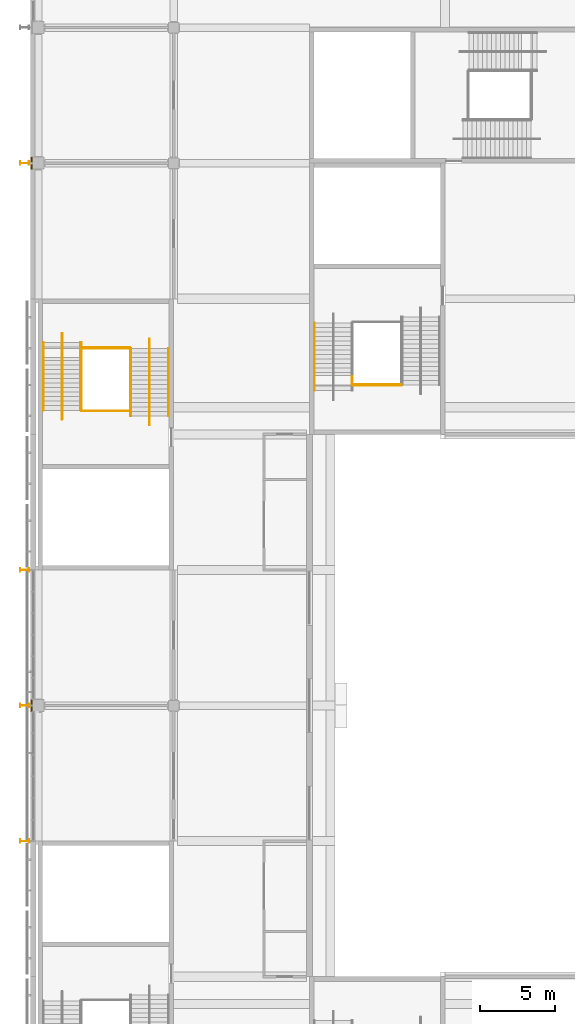
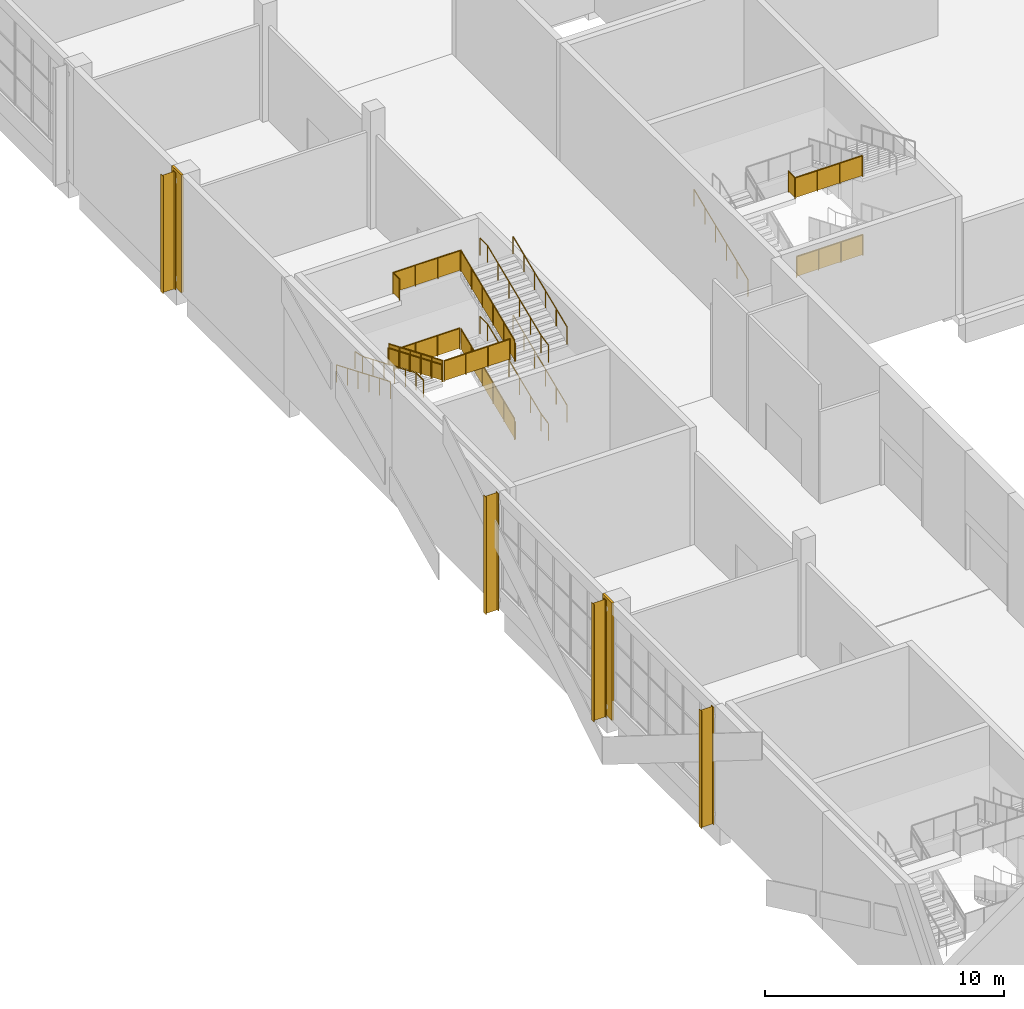
# One storey, part 76 of 89: 18 railings, 4 shading devices, 2 coverings.
"""IFC4 building model written with IfcOpenShell, lengths in metres."""

from ifc_helpers import new_model, si_unit, direction, frame, origin, origin_2d, place, context, subcontext, project, spatial, polyline, circle, i_section, outline, extrude, material, layer, layer_set, material_profile, profile_set, type_object, element, save


model = new_model("IFC4")

# Units and contexts
model_context = context("Model", 3, precision=1e-05, world=origin(), true_north=direction((0.0, 1.0)))
body_context = subcontext(model_context, "Body", "Model", "MODEL_VIEW")
ifc_project = project(units=[si_unit("LENGTHUNIT", "METRE"), si_unit("AREAUNIT", "SQUARE_METRE"), si_unit("VOLUMEUNIT", "CUBIC_METRE"), si_unit("PLANEANGLEUNIT", "RADIAN"), si_unit("MASSUNIT", "GRAM", prefix="KILO")], contexts=[model_context])

# Site, building, storey
site_placement = place(None, origin())
site = spatial("IfcSite", under=ifc_project, at=site_placement, CompositionType="ELEMENT")
building_placement = place(site_placement, origin())
building = spatial("IfcBuilding", under=site, at=building_placement, Name="Silverbay Arena", CompositionType="ELEMENT")
storey_placement = place(building_placement, frame((0.0, 0.0, 22.0)))
storey = spatial("IfcBuildingStorey", under=building, at=storey_placement, Name="L03", CompositionType="ELEMENT", Elevation=22.0)

# Coverings
ifc_material_1 = material(Name="Aluminium composite cladding", Category="aluminium")
ifc_layer = layer(ifc_material_1, 0.10009765625)
ifc_layer_set = layer_set([ifc_layer], Name="Aluminium composite cladding")
covering_type = type_object("IfcCoveringType", Name="Column cladding 100", PredefinedType="CLADDING", material=ifc_layer_set)
covering_1_placement = place(storey_placement, origin())
element("IfcCovering", 1, at=covering_1_placement, inside=storey, type_object=covering_type, Name="West column cladding L03 9", PredefinedType="CLADDING", context=body_context, shape_type="SweptSolid", body=[
    extrude(outline(polyline([(53.5, 80.60009765625), (53.60009765625, 80.60009765625), (53.60009765625, 81.39990234375), (53.5, 81.39990234375), (53.5, 80.60009765625)])), origin(), (0.0, 0.0, 1.0), 6.0),
])
covering_2_placement = place(storey_placement, origin())
element("IfcCovering", 2, at=covering_2_placement, inside=storey, type_object=covering_type, Name="West column cladding L03 11", PredefinedType="CLADDING", context=body_context, shape_type="SweptSolid", body=[
    extrude(outline(polyline([(53.5, 116.60009765625), (53.60009765625, 116.60009765625), (53.60009765625, 117.39990234375), (53.5, 117.39990234375), (53.5, 116.60009765625)])), origin(), (0.0, 0.0, 1.0), 6.0),
])

# Railings
ifc_material_2 = material(Name="Stainless steel", Category="steel")
railing_type_1 = type_object("IfcRailingType", Name="Stair guard 1100", PredefinedType="GUARDRAIL", material=ifc_material_2)
railing_1_placement = place(storey_placement, frame((60.125, 100.2099609375, 0.125)))
element("IfcRailing", 3, at=railing_1_placement, inside=storey, type_object=railing_type_1, Name="Stair ST-W2 L03 to L04 flight 1 guard right", PredefinedType="GUARDRAIL", context=body_context, shape_type="SweptSolid", body=[
    extrude(circle(Radius=0.02392578125, at=origin_2d()), frame((0.0, 0.0, 1.076171875), z_axis=(0.0, 0.923076923077, 0.384615384615), x_axis=(-1.0, 0.0, 0.0)), (0.0, 0.0, 1.0), 4.875),
    extrude(outline(polyline([(-0.008056640625, 0.046630859375), (0.907958984375, 0.42822265625), (0.907958984375, 1.431396484375), (-0.008056640625, 1.049560546875), (-0.008056640625, 0.046630859375)])), frame((-0.0029296875, 0.0, 0.0), z_axis=(1.0, 0.0, 0.0), x_axis=(0.0, 1.0, 0.0)), (0.0, 0.0, 1.0), 0.006103515625),
    extrude(outline(polyline([(-0.008056640625, 0.421630859375), (0.907958984375, 0.80322265625), (0.907958984375, 1.806396484375), (-0.008056640625, 1.424560546875), (-0.008056640625, 0.421630859375)])), frame((-0.0029296875, 0.89990234375, 0.0), z_axis=(1.0, 0.0, 0.0), x_axis=(0.0, 1.0, 0.0)), (0.0, 0.0, 1.0), 0.006103515625),
    extrude(outline(polyline([(-0.008056640625, 0.796630859375), (0.907958984375, 1.17822265625), (0.907958984375, 2.181396484375), (-0.008056640625, 1.799560546875), (-0.008056640625, 0.796630859375)])), frame((-0.0029296875, 1.800048828125, 0.0), z_axis=(1.0, 0.0, 0.0), x_axis=(0.0, 1.0, 0.0)), (0.0, 0.0, 1.0), 0.006103515625),
    extrude(outline(polyline([(-0.008056640625, 1.171630859375), (0.907958984375, 1.55322265625), (0.907958984375, 2.556396484375), (-0.008056640625, 2.174560546875), (-0.008056640625, 1.171630859375)])), frame((-0.0029296875, 2.699951171875, 0.0), z_axis=(1.0, 0.0, 0.0), x_axis=(0.0, 1.0, 0.0)), (0.0, 0.0, 1.0), 0.006103515625),
    extrude(outline(polyline([(-0.008056640625, 1.546630859375), (0.907958984375, 1.92822265625), (0.907958984375, 2.931396484375), (-0.008056640625, 2.549560546875), (-0.008056640625, 1.546630859375)])), frame((-0.0029296875, 3.60009765625, 0.0), z_axis=(1.0, 0.0, 0.0), x_axis=(0.0, 1.0, 0.0)), (0.0, 0.0, 1.0), 0.006103515625),
    extrude(circle(Radius=0.02099609375, at=origin_2d()), origin(), (0.0, 0.0, 1.0), 1.052001953125),
    extrude(circle(Radius=0.02099609375, at=origin_2d()), frame((0.0, 0.89990234375, 0.375)), (0.0, 0.0, 1.0), 1.052001953125),
    extrude(circle(Radius=0.02099609375, at=origin_2d()), frame((0.0, 1.800048828125, 0.75)), (0.0, 0.0, 1.0), 1.052001953125),
    extrude(circle(Radius=0.02099609375, at=origin_2d()), frame((0.0, 2.699951171875, 1.125)), (0.0, 0.0, 1.0), 1.052001953125),
    extrude(circle(Radius=0.02099609375, at=origin_2d()), frame((0.0, 3.60009765625, 1.5)), (0.0, 0.0, 1.0), 1.052001953125),
    extrude(circle(Radius=0.02099609375, at=origin_2d()), frame((0.0, 4.5, 1.875)), (0.0, 0.0, 1.0), 1.052001953125),
])
railing_2_placement = place(storey_placement, frame((56.875, 105.10009765625, 2.125)))
element("IfcRailing", 4, at=railing_2_placement, inside=storey, type_object=railing_type_1, Name="Stair ST-W2 L03 to L04 flight 2 guard left", PredefinedType="GUARDRAIL", context=body_context, shape_type="SweptSolid", body=[
    extrude(circle(Radius=0.02392578125, at=origin_2d()), frame((0.0, 0.0, 1.076171875), z_axis=(0.0, -0.923076923077, 0.384615384615), x_axis=(1.0, 0.0, 0.0)), (0.0, 0.0, 1.0), 4.875),
    extrude(outline(polyline([(-0.008056640625, 0.046630859375), (0.907958984375, 0.42822265625), (0.907958984375, 1.431396484375), (-0.008056640625, 1.049560546875), (-0.008056640625, 0.046630859375)])), frame((0.0029296875, 0.0, 0.0), z_axis=(-1.0, 0.0, 0.0), x_axis=(0.0, -1.0, 0.0)), (0.0, 0.0, 1.0), 0.006103515625),
    extrude(outline(polyline([(-0.008056640625, 0.421630859375), (0.907958984375, 0.80322265625), (0.907958984375, 1.806396484375), (-0.008056640625, 1.424560546875), (-0.008056640625, 0.421630859375)])), frame((0.0029296875, -0.89990234375, 0.0), z_axis=(-1.0, 0.0, 0.0), x_axis=(0.0, -1.0, 0.0)), (0.0, 0.0, 1.0), 0.006103515625),
    extrude(outline(polyline([(-0.008056640625, 0.796630859375), (0.907958984375, 1.17822265625), (0.907958984375, 2.181396484375), (-0.008056640625, 1.799560546875), (-0.008056640625, 0.796630859375)])), frame((0.0029296875, -1.800048828125, 0.0), z_axis=(-1.0, 0.0, 0.0), x_axis=(0.0, -1.0, 0.0)), (0.0, 0.0, 1.0), 0.006103515625),
    extrude(outline(polyline([(-0.008056640625, 1.171630859375), (0.907958984375, 1.55322265625), (0.907958984375, 2.556396484375), (-0.008056640625, 2.174560546875), (-0.008056640625, 1.171630859375)])), frame((0.0029296875, -2.699951171875, 0.0), z_axis=(-1.0, 0.0, 0.0), x_axis=(0.0, -1.0, 0.0)), (0.0, 0.0, 1.0), 0.006103515625),
    extrude(outline(polyline([(-0.008056640625, 1.546630859375), (0.907958984375, 1.92822265625), (0.907958984375, 2.931396484375), (-0.008056640625, 2.549560546875), (-0.008056640625, 1.546630859375)])), frame((0.0029296875, -3.60009765625, 0.0), z_axis=(-1.0, 0.0, 0.0), x_axis=(0.0, -1.0, 0.0)), (0.0, 0.0, 1.0), 0.006103515625),
    extrude(circle(Radius=0.02099609375, at=origin_2d()), origin(), (0.0, 0.0, 1.0), 1.052001953125),
    extrude(circle(Radius=0.02099609375, at=origin_2d()), frame((0.0, -0.89990234375, 0.375)), (0.0, 0.0, 1.0), 1.052001953125),
    extrude(circle(Radius=0.02099609375, at=origin_2d()), frame((0.0, -1.800048828125, 0.75)), (0.0, 0.0, 1.0), 1.052001953125),
    extrude(circle(Radius=0.02099609375, at=origin_2d()), frame((0.0, -2.699951171875, 1.125)), (0.0, 0.0, 1.0), 1.052001953125),
    extrude(circle(Radius=0.02099609375, at=origin_2d()), frame((0.0, -3.60009765625, 1.5)), (0.0, 0.0, 1.0), 1.052001953125),
    extrude(circle(Radius=0.02099609375, at=origin_2d()), frame((0.0, -4.5, 1.875)), (0.0, 0.0, 1.0), 1.052001953125),
])
railing_3_placement = place(storey_placement, frame((60.125, 100.2099609375, 4.125)))
element("IfcRailing", 5, at=railing_3_placement, inside=storey, type_object=railing_type_1, Name="Stair ST-W2 L03 to L04 flight 3 guard right", PredefinedType="GUARDRAIL", context=body_context, shape_type="SweptSolid", body=[
    extrude(circle(Radius=0.02392578125, at=origin_2d()), frame((0.0, 0.0, 1.076171875), z_axis=(0.0, 0.923076923077, 0.384615384615), x_axis=(-1.0, 0.0, 0.0)), (0.0, 0.0, 1.0), 4.875),
    extrude(outline(polyline([(-0.008056640625, 0.046630859375), (0.907958984375, 0.42822265625), (0.907958984375, 1.431396484375), (-0.008056640625, 1.049560546875), (-0.008056640625, 0.046630859375)])), frame((-0.0029296875, 0.0, 0.0), z_axis=(1.0, 0.0, 0.0), x_axis=(0.0, 1.0, 0.0)), (0.0, 0.0, 1.0), 0.006103515625),
    extrude(outline(polyline([(-0.008056640625, 0.421630859375), (0.907958984375, 0.80322265625), (0.907958984375, 1.806396484375), (-0.008056640625, 1.424560546875), (-0.008056640625, 0.421630859375)])), frame((-0.0029296875, 0.89990234375, 0.0), z_axis=(1.0, 0.0, 0.0), x_axis=(0.0, 1.0, 0.0)), (0.0, 0.0, 1.0), 0.006103515625),
    extrude(outline(polyline([(-0.008056640625, 0.796630859375), (0.907958984375, 1.17822265625), (0.907958984375, 2.181396484375), (-0.008056640625, 1.799560546875), (-0.008056640625, 0.796630859375)])), frame((-0.0029296875, 1.800048828125, 0.0), z_axis=(1.0, 0.0, 0.0), x_axis=(0.0, 1.0, 0.0)), (0.0, 0.0, 1.0), 0.006103515625),
    extrude(outline(polyline([(-0.008056640625, 1.171630859375), (0.907958984375, 1.55322265625), (0.907958984375, 2.556396484375), (-0.008056640625, 2.174560546875), (-0.008056640625, 1.171630859375)])), frame((-0.0029296875, 2.699951171875, 0.0), z_axis=(1.0, 0.0, 0.0), x_axis=(0.0, 1.0, 0.0)), (0.0, 0.0, 1.0), 0.006103515625),
    extrude(outline(polyline([(-0.008056640625, 1.546630859375), (0.907958984375, 1.92822265625), (0.907958984375, 2.931396484375), (-0.008056640625, 2.549560546875), (-0.008056640625, 1.546630859375)])), frame((-0.0029296875, 3.60009765625, 0.0), z_axis=(1.0, 0.0, 0.0), x_axis=(0.0, 1.0, 0.0)), (0.0, 0.0, 1.0), 0.006103515625),
    extrude(circle(Radius=0.02099609375, at=origin_2d()), origin(), (0.0, 0.0, 1.0), 1.052001953125),
    extrude(circle(Radius=0.02099609375, at=origin_2d()), frame((0.0, 0.89990234375, 0.375)), (0.0, 0.0, 1.0), 1.052001953125),
    extrude(circle(Radius=0.02099609375, at=origin_2d()), frame((0.0, 1.800048828125, 0.75)), (0.0, 0.0, 1.0), 1.052001953125),
    extrude(circle(Radius=0.02099609375, at=origin_2d()), frame((0.0, 2.699951171875, 1.125)), (0.0, 0.0, 1.0), 1.052001953125),
    extrude(circle(Radius=0.02099609375, at=origin_2d()), frame((0.0, 3.60009765625, 1.5)), (0.0, 0.0, 1.0), 1.052001953125),
    extrude(circle(Radius=0.02099609375, at=origin_2d()), frame((0.0, 4.5, 1.875)), (0.0, 0.0, 1.0), 1.052001953125),
])
for number, where, name in (
    (6, (60.10009765625, 104.760009765625, 2.0), "Stair ST-W2 L03 to L04 landing 1 guard"),
    (7, (60.10009765625, 100.550048828125, 4.0), "Stair ST-W2 L03 to L04 landing 2 guard"),
):
    element("IfcRailing", number, at=place(storey_placement, frame(where)), inside=storey, type_object=railing_type_1, Name=name, PredefinedType="GUARDRAIL", context=body_context, shape_type="SweptSolid", body=[
        extrude(circle(Radius=0.02392578125, at=origin_2d()), frame((0.0, 0.0, 1.076171875), z_axis=(-1.0, 0.0, 0.0), x_axis=(0.0, -1.0, 0.0)), (0.0, 0.0, 1.0), 3.2001953125),
        extrude(outline(polyline([(-0.008056640625, 0.050048828125), (1.07470703125, 0.050048828125), (1.07470703125, 1.052978515625), (-0.008056640625, 1.052978515625), (-0.008056640625, 0.050048828125)])), frame((0.0, -0.0029296875, 0.0), z_axis=(0.0, 1.0, 0.0), x_axis=(-1.0, 0.0, 0.0)), (0.0, 0.0, 1.0), 0.006103515625),
        extrude(outline(polyline([(-0.008056640625, 0.050048828125), (1.07470703125, 0.050048828125), (1.07470703125, 1.052978515625), (-0.008056640625, 1.052978515625), (-0.008056640625, 0.050048828125)])), frame((-1.066650390625, -0.0029296875, 0.0), z_axis=(0.0, 1.0, 0.0), x_axis=(-1.0, 0.0, 0.0)), (0.0, 0.0, 1.0), 0.006103515625),
        extrude(outline(polyline([(-0.008056640625, 0.050048828125), (1.07470703125, 0.050048828125), (1.07470703125, 1.052978515625), (-0.008056640625, 1.052978515625), (-0.008056640625, 0.050048828125)])), frame((-2.133544921875, -0.0029296875, 0.0), z_axis=(0.0, 1.0, 0.0), x_axis=(-1.0, 0.0, 0.0)), (0.0, 0.0, 1.0), 0.006103515625),
        extrude(circle(Radius=0.02099609375, at=origin_2d()), origin(), (0.0, 0.0, 1.0), 1.052001953125),
        extrude(circle(Radius=0.02099609375, at=origin_2d()), frame((-1.066650390625, 0.0, 0.0)), (0.0, 0.0, 1.0), 1.052001953125),
        extrude(circle(Radius=0.02099609375, at=origin_2d()), frame((-2.133544921875, 0.0, 0.0)), (0.0, 0.0, 1.0), 1.052001953125),
        extrude(circle(Radius=0.02099609375, at=origin_2d()), frame((-3.2001953125, 0.0, 0.0)), (0.0, 0.0, 1.0), 1.052001953125),
    ])
railing_4_placement = place(storey_placement, frame((56.85009765625, 104.14990234375, 6.0)))
element("IfcRailing", 8, at=railing_4_placement, inside=storey, type_object=railing_type_1, Name="Stair ST-W2 L03 to L04 landing 3 guard", PredefinedType="GUARDRAIL", context=body_context, shape_type="SweptSolid", body=[
    extrude(circle(Radius=0.02392578125, at=origin_2d()), frame((0.0, 0.0, 1.076171875), z_axis=(0.0, 1.0, 0.0), x_axis=(-1.0, 0.0, 0.0)), (0.0, 0.0, 1.0), 0.56005859375),
    extrude(outline(polyline([(-0.008056640625, 0.050048828125), (0.568115234375, 0.050048828125), (0.568115234375, 1.052978515625), (-0.008056640625, 1.052978515625), (-0.008056640625, 0.050048828125)])), frame((-0.0029296875, 0.0, 0.0), z_axis=(1.0, 0.0, 0.0), x_axis=(0.0, 1.0, 0.0)), (0.0, 0.0, 1.0), 0.006103515625),
    extrude(circle(Radius=0.02392578125, at=origin_2d()), frame((0.0, 0.56005859375, 1.076171875), z_axis=(1.0, 0.0, 0.0), x_axis=(0.0, 1.0, 0.0)), (0.0, 0.0, 1.0), 3.25),
    extrude(outline(polyline([(-0.008056640625, 0.050048828125), (1.09130859375, 0.050048828125), (1.09130859375, 1.052978515625), (-0.008056640625, 1.052978515625), (-0.008056640625, 0.050048828125)])), frame((0.0, 0.56298828125, 0.0), z_axis=(0.0, -1.0, 0.0), x_axis=(1.0, 0.0, 0.0)), (0.0, 0.0, 1.0), 0.006103515625),
    extrude(outline(polyline([(-0.008056640625, 0.050048828125), (1.09130859375, 0.050048828125), (1.09130859375, 1.052978515625), (-0.008056640625, 1.052978515625), (-0.008056640625, 0.050048828125)])), frame((1.083251953125, 0.56298828125, 0.0), z_axis=(0.0, -1.0, 0.0), x_axis=(1.0, 0.0, 0.0)), (0.0, 0.0, 1.0), 0.006103515625),
    extrude(outline(polyline([(-0.008056640625, 0.050048828125), (1.09130859375, 0.050048828125), (1.09130859375, 1.052978515625), (-0.008056640625, 1.052978515625), (-0.008056640625, 0.050048828125)])), frame((2.166748046875, 0.56298828125, 0.0), z_axis=(0.0, -1.0, 0.0), x_axis=(1.0, 0.0, 0.0)), (0.0, 0.0, 1.0), 0.006103515625),
    extrude(circle(Radius=0.02099609375, at=origin_2d()), origin(), (0.0, 0.0, 1.0), 1.052001953125),
    extrude(circle(Radius=0.02099609375, at=origin_2d()), frame((0.0, 0.56005859375, 0.0)), (0.0, 0.0, 1.0), 1.052001953125),
    extrude(circle(Radius=0.02099609375, at=origin_2d()), frame((1.083251953125, 0.56005859375, 0.0)), (0.0, 0.0, 1.0), 1.052001953125),
    extrude(circle(Radius=0.02099609375, at=origin_2d()), frame((2.166748046875, 0.56005859375, 0.0)), (0.0, 0.0, 1.0), 1.052001953125),
    extrude(circle(Radius=0.02099609375, at=origin_2d()), frame((3.25, 0.56005859375, 0.0)), (0.0, 0.0, 1.0), 1.052001953125),
])
railing_5_placement = place(storey_placement, frame((78.10009765625, 102.239990234375, 2.0)))
element("IfcRailing", 9, at=railing_5_placement, inside=storey, type_object=railing_type_1, Name="Stair ST-NW2 L03 to L04 landing 1 guard", PredefinedType="GUARDRAIL", context=body_context, shape_type="SweptSolid", body=[
    extrude(circle(Radius=0.02392578125, at=origin_2d()), frame((0.0, 0.0, 1.076171875), z_axis=(-1.0, 0.0, 0.0), x_axis=(0.0, -1.0, 0.0)), (0.0, 0.0, 1.0), 3.2001953125),
    extrude(outline(polyline([(-0.008056640625, 0.050048828125), (1.07470703125, 0.050048828125), (1.07470703125, 1.052978515625), (-0.008056640625, 1.052978515625), (-0.008056640625, 0.050048828125)])), frame((0.0, -0.0029296875, 0.0), z_axis=(0.0, 1.0, 0.0), x_axis=(-1.0, 0.0, 0.0)), (0.0, 0.0, 1.0), 0.006103515625),
    extrude(outline(polyline([(-0.008056640625, 0.050048828125), (1.07470703125, 0.050048828125), (1.07470703125, 1.052978515625), (-0.008056640625, 1.052978515625), (-0.008056640625, 0.050048828125)])), frame((-1.066650390625, -0.0029296875, 0.0), z_axis=(0.0, 1.0, 0.0), x_axis=(-1.0, 0.0, 0.0)), (0.0, 0.0, 1.0), 0.006103515625),
    extrude(outline(polyline([(-0.008056640625, 0.050048828125), (1.07470703125, 0.050048828125), (1.07470703125, 1.052978515625), (-0.008056640625, 1.052978515625), (-0.008056640625, 0.050048828125)])), frame((-2.133544921875, -0.0029296875, 0.0), z_axis=(0.0, 1.0, 0.0), x_axis=(-1.0, 0.0, 0.0)), (0.0, 0.0, 1.0), 0.006103515625),
    extrude(circle(Radius=0.02099609375, at=origin_2d()), origin(), (0.0, 0.0, 1.0), 1.052001953125),
    extrude(circle(Radius=0.02099609375, at=origin_2d()), frame((-1.066650390625, 0.0, 0.0)), (0.0, 0.0, 1.0), 1.052001953125),
    extrude(circle(Radius=0.02099609375, at=origin_2d()), frame((-2.133544921875, 0.0, 0.0)), (0.0, 0.0, 1.0), 1.052001953125),
    extrude(circle(Radius=0.02099609375, at=origin_2d()), frame((-3.2001953125, 0.0, 0.0)), (0.0, 0.0, 1.0), 1.052001953125),
])
railing_6_placement = place(storey_placement, frame((74.85009765625, 102.85009765625, 6.0)))
element("IfcRailing", 10, at=railing_6_placement, inside=storey, type_object=railing_type_1, Name="Stair ST-NW2 L03 to L04 landing 3 guard", PredefinedType="GUARDRAIL", context=body_context, shape_type="SweptSolid", body=[
    extrude(circle(Radius=0.02392578125, at=origin_2d()), frame((0.0, 0.0, 1.076171875), z_axis=(0.0, -1.0, 0.0), x_axis=(1.0, 0.0, 0.0)), (0.0, 0.0, 1.0), 0.56005859375),
    extrude(outline(polyline([(-0.008056640625, 0.050048828125), (0.568115234375, 0.050048828125), (0.568115234375, 1.052978515625), (-0.008056640625, 1.052978515625), (-0.008056640625, 0.050048828125)])), frame((0.0029296875, 0.0, 0.0), z_axis=(-1.0, 0.0, 0.0), x_axis=(0.0, -1.0, 0.0)), (0.0, 0.0, 1.0), 0.006103515625),
    extrude(circle(Radius=0.02392578125, at=origin_2d()), frame((0.0, -0.56005859375, 1.076171875), z_axis=(1.0, 0.0, 0.0), x_axis=(0.0, 1.0, 0.0)), (0.0, 0.0, 1.0), 3.25),
    extrude(outline(polyline([(-0.008056640625, 0.050048828125), (1.09130859375, 0.050048828125), (1.09130859375, 1.052978515625), (-0.008056640625, 1.052978515625), (-0.008056640625, 0.050048828125)])), frame((0.0, -0.55712890625, 0.0), z_axis=(0.0, -1.0, 0.0), x_axis=(1.0, 0.0, 0.0)), (0.0, 0.0, 1.0), 0.006103515625),
    extrude(outline(polyline([(-0.008056640625, 0.050048828125), (1.09130859375, 0.050048828125), (1.09130859375, 1.052978515625), (-0.008056640625, 1.052978515625), (-0.008056640625, 0.050048828125)])), frame((1.083251953125, -0.55712890625, 0.0), z_axis=(0.0, -1.0, 0.0), x_axis=(1.0, 0.0, 0.0)), (0.0, 0.0, 1.0), 0.006103515625),
    extrude(outline(polyline([(-0.008056640625, 0.050048828125), (1.09130859375, 0.050048828125), (1.09130859375, 1.052978515625), (-0.008056640625, 1.052978515625), (-0.008056640625, 0.050048828125)])), frame((2.166748046875, -0.55712890625, 0.0), z_axis=(0.0, -1.0, 0.0), x_axis=(1.0, 0.0, 0.0)), (0.0, 0.0, 1.0), 0.006103515625),
    extrude(circle(Radius=0.02099609375, at=origin_2d()), origin(), (0.0, 0.0, 1.0), 1.052001953125),
    extrude(circle(Radius=0.02099609375, at=origin_2d()), frame((0.0, -0.56005859375, 0.0)), (0.0, 0.0, 1.0), 1.052001953125),
    extrude(circle(Radius=0.02099609375, at=origin_2d()), frame((1.083251953125, -0.56005859375, 0.0)), (0.0, 0.0, 1.0), 1.052001953125),
    extrude(circle(Radius=0.02099609375, at=origin_2d()), frame((2.166748046875, -0.56005859375, 0.0)), (0.0, 0.0, 1.0), 1.052001953125),
    extrude(circle(Radius=0.02099609375, at=origin_2d()), frame((3.25, -0.56005859375, 0.0)), (0.0, 0.0, 1.0), 1.052001953125),
])
ifc_material_3 = material(Name="Stainless steel", Category="steel")
railing_type_2 = type_object("IfcRailingType", Name="Stair handrail 900", PredefinedType="HANDRAIL", material=ifc_material_3)
for number, where, name in (
    (11, (62.64990234375, 100.2099609375, 0.125), "Stair ST-W2 L03 to L04 flight 1 handrail left"),
    (12, (60.1640625, 100.2099609375, 0.125), "Stair ST-W2 L03 to L04 flight 1 handrail right"),
):
    element("IfcRailing", number, at=place(storey_placement, frame(where)), inside=storey, type_object=railing_type_2, Name=name, PredefinedType="HANDRAIL", context=body_context, shape_type="SweptSolid", body=[
        extrude(circle(Radius=0.02392578125, at=origin_2d()), frame((0.0, 0.0, 0.8759765625), z_axis=(0.0, 0.923076923077, 0.384615384615), x_axis=(-1.0, 0.0, 0.0)), (0.0, 0.0, 1.0), 4.875),
        extrude(circle(Radius=0.02099609375, at=origin_2d()), origin(), (0.0, 0.0, 1.0), 0.851806640625),
        extrude(circle(Radius=0.02099609375, at=origin_2d()), frame((0.0, 0.89990234375, 0.375)), (0.0, 0.0, 1.0), 0.851806640625),
        extrude(circle(Radius=0.02099609375, at=origin_2d()), frame((0.0, 1.800048828125, 0.75)), (0.0, 0.0, 1.0), 0.851806640625),
        extrude(circle(Radius=0.02099609375, at=origin_2d()), frame((0.0, 2.699951171875, 1.125)), (0.0, 0.0, 1.0), 0.851806640625),
        extrude(circle(Radius=0.02099609375, at=origin_2d()), frame((0.0, 3.60009765625, 1.5)), (0.0, 0.0, 1.0), 0.851806640625),
        extrude(circle(Radius=0.02099609375, at=origin_2d()), frame((0.0, 4.5, 1.875)), (0.0, 0.0, 1.0), 0.851806640625),
    ])
railing_7_placement = place(storey_placement, frame((61.39990234375, 99.610107421875, 0.0)))
element("IfcRailing", 13, at=railing_7_placement, inside=storey, type_object=railing_type_2, Name="Stair ST-W2 L03 to L04 flight 1 central handrail", PredefinedType="HANDRAIL", context=body_context, shape_type="SweptSolid", body=[
    extrude(circle(Radius=0.02392578125, at=origin_2d()), frame((0.0, 0.0, 0.8759765625), z_axis=(0.0, 0.978970474113, 0.20400198728), x_axis=(-1.0, 0.0, 0.0)), (0.0, 0.0, 1.0), 0.61279296875),
    extrude(circle(Radius=0.02392578125, at=origin_2d()), frame((0.0, 0.599853515625, 1.0009765625), z_axis=(0.0, 0.923076923077, 0.384615384615), x_axis=(-1.0, 0.0, 0.0)), (0.0, 0.0, 1.0), 4.875),
    extrude(circle(Radius=0.02392578125, at=origin_2d()), frame((0.0, 5.099853515625, 2.8759765625), z_axis=(0.0, 1.0, 0.0), x_axis=(-1.0, 0.0, 0.0)), (0.0, 0.0, 1.0), 0.60009765625),
    extrude(circle(Radius=0.02099609375, at=origin_2d()), origin(), (0.0, 0.0, 1.0), 0.851806640625),
    extrude(circle(Radius=0.02099609375, at=origin_2d()), frame((0.0, 0.599853515625, 0.125)), (0.0, 0.0, 1.0), 0.851806640625),
    extrude(circle(Radius=0.02099609375, at=origin_2d()), frame((0.0, 1.499755859375, 0.5)), (0.0, 0.0, 1.0), 0.851806640625),
    extrude(circle(Radius=0.02099609375, at=origin_2d()), frame((0.0, 2.39990234375, 0.875)), (0.0, 0.0, 1.0), 0.851806640625),
    extrude(circle(Radius=0.02099609375, at=origin_2d()), frame((0.0, 3.2998046875, 1.25)), (0.0, 0.0, 1.0), 0.851806640625),
    extrude(circle(Radius=0.02099609375, at=origin_2d()), frame((0.0, 4.199951171875, 1.625)), (0.0, 0.0, 1.0), 0.851806640625),
    extrude(circle(Radius=0.02099609375, at=origin_2d()), frame((0.0, 5.099853515625, 2.0)), (0.0, 0.0, 1.0), 0.851806640625),
    extrude(circle(Radius=0.02099609375, at=origin_2d()), frame((0.0, 5.699951171875, 2.0)), (0.0, 0.0, 1.0), 0.851806640625),
])
for number, where, name in (
    (14, (56.8359375, 105.10009765625, 2.125), "Stair ST-W2 L03 to L04 flight 2 handrail left"),
    (15, (54.35009765625, 105.10009765625, 2.125), "Stair ST-W2 L03 to L04 flight 2 handrail right"),
):
    element("IfcRailing", number, at=place(storey_placement, frame(where)), inside=storey, type_object=railing_type_2, Name=name, PredefinedType="HANDRAIL", context=body_context, shape_type="SweptSolid", body=[
        extrude(circle(Radius=0.02392578125, at=origin_2d()), frame((0.0, 0.0, 0.8759765625), z_axis=(0.0, -0.923076923077, 0.384615384615), x_axis=(1.0, 0.0, 0.0)), (0.0, 0.0, 1.0), 4.875),
        extrude(circle(Radius=0.02099609375, at=origin_2d()), origin(), (0.0, 0.0, 1.0), 0.851806640625),
        extrude(circle(Radius=0.02099609375, at=origin_2d()), frame((0.0, -0.89990234375, 0.375)), (0.0, 0.0, 1.0), 0.851806640625),
        extrude(circle(Radius=0.02099609375, at=origin_2d()), frame((0.0, -1.800048828125, 0.75)), (0.0, 0.0, 1.0), 0.851806640625),
        extrude(circle(Radius=0.02099609375, at=origin_2d()), frame((0.0, -2.699951171875, 1.125)), (0.0, 0.0, 1.0), 0.851806640625),
        extrude(circle(Radius=0.02099609375, at=origin_2d()), frame((0.0, -3.60009765625, 1.5)), (0.0, 0.0, 1.0), 0.851806640625),
        extrude(circle(Radius=0.02099609375, at=origin_2d()), frame((0.0, -4.5, 1.875)), (0.0, 0.0, 1.0), 0.851806640625),
    ])
railing_8_placement = place(storey_placement, frame((55.60009765625, 105.699951171875, 2.0)))
element("IfcRailing", 16, at=railing_8_placement, inside=storey, type_object=railing_type_2, Name="Stair ST-W2 L03 to L04 flight 2 central handrail", PredefinedType="HANDRAIL", context=body_context, shape_type="SweptSolid", body=[
    extrude(circle(Radius=0.02392578125, at=origin_2d()), frame((0.0, 0.0, 0.8759765625), z_axis=(0.0, -0.978970474113, 0.20400198728), x_axis=(1.0, 0.0, 0.0)), (0.0, 0.0, 1.0), 0.61279296875),
    extrude(circle(Radius=0.02392578125, at=origin_2d()), frame((0.0, -0.599853515625, 1.0009765625), z_axis=(0.0, -0.923076923077, 0.384615384615), x_axis=(1.0, 0.0, 0.0)), (0.0, 0.0, 1.0), 4.875),
    extrude(circle(Radius=0.02392578125, at=origin_2d()), frame((0.0, -5.099853515625, 2.8759765625), z_axis=(0.0, -1.0, 0.0), x_axis=(1.0, 0.0, 0.0)), (0.0, 0.0, 1.0), 0.60009765625),
    extrude(circle(Radius=0.02099609375, at=origin_2d()), origin(), (0.0, 0.0, 1.0), 0.851806640625),
    extrude(circle(Radius=0.02099609375, at=origin_2d()), frame((0.0, -0.599853515625, 0.125)), (0.0, 0.0, 1.0), 0.851806640625),
    extrude(circle(Radius=0.02099609375, at=origin_2d()), frame((0.0, -1.499755859375, 0.5)), (0.0, 0.0, 1.0), 0.851806640625),
    extrude(circle(Radius=0.02099609375, at=origin_2d()), frame((0.0, -2.39990234375, 0.875)), (0.0, 0.0, 1.0), 0.851806640625),
    extrude(circle(Radius=0.02099609375, at=origin_2d()), frame((0.0, -3.2998046875, 1.25)), (0.0, 0.0, 1.0), 0.851806640625),
    extrude(circle(Radius=0.02099609375, at=origin_2d()), frame((0.0, -4.199951171875, 1.625)), (0.0, 0.0, 1.0), 0.851806640625),
    extrude(circle(Radius=0.02099609375, at=origin_2d()), frame((0.0, -5.099853515625, 2.0)), (0.0, 0.0, 1.0), 0.851806640625),
    extrude(circle(Radius=0.02099609375, at=origin_2d()), frame((0.0, -5.699951171875, 2.0)), (0.0, 0.0, 1.0), 0.851806640625),
])
for number, where, name in (
    (17, (62.64990234375, 100.2099609375, 4.125), "Stair ST-W2 L03 to L04 flight 3 handrail left"),
    (18, (60.1640625, 100.2099609375, 4.125), "Stair ST-W2 L03 to L04 flight 3 handrail right"),
):
    element("IfcRailing", number, at=place(storey_placement, frame(where)), inside=storey, type_object=railing_type_2, Name=name, PredefinedType="HANDRAIL", context=body_context, shape_type="SweptSolid", body=[
        extrude(circle(Radius=0.02392578125, at=origin_2d()), frame((0.0, 0.0, 0.8759765625), z_axis=(0.0, 0.923076923077, 0.384615384615), x_axis=(-1.0, 0.0, 0.0)), (0.0, 0.0, 1.0), 4.875),
        extrude(circle(Radius=0.02099609375, at=origin_2d()), origin(), (0.0, 0.0, 1.0), 0.851806640625),
        extrude(circle(Radius=0.02099609375, at=origin_2d()), frame((0.0, 0.89990234375, 0.375)), (0.0, 0.0, 1.0), 0.851806640625),
        extrude(circle(Radius=0.02099609375, at=origin_2d()), frame((0.0, 1.800048828125, 0.75)), (0.0, 0.0, 1.0), 0.851806640625),
        extrude(circle(Radius=0.02099609375, at=origin_2d()), frame((0.0, 2.699951171875, 1.125)), (0.0, 0.0, 1.0), 0.851806640625),
        extrude(circle(Radius=0.02099609375, at=origin_2d()), frame((0.0, 3.60009765625, 1.5)), (0.0, 0.0, 1.0), 0.851806640625),
        extrude(circle(Radius=0.02099609375, at=origin_2d()), frame((0.0, 4.5, 1.875)), (0.0, 0.0, 1.0), 0.851806640625),
    ])
railing_9_placement = place(storey_placement, frame((61.39990234375, 99.610107421875, 4.0)))
element("IfcRailing", 19, at=railing_9_placement, inside=storey, type_object=railing_type_2, Name="Stair ST-W2 L03 to L04 flight 3 central handrail", PredefinedType="HANDRAIL", context=body_context, shape_type="SweptSolid", body=[
    extrude(circle(Radius=0.02392578125, at=origin_2d()), frame((0.0, 0.0, 0.8759765625), z_axis=(0.0, 0.978970474113, 0.20400198728), x_axis=(-1.0, 0.0, 0.0)), (0.0, 0.0, 1.0), 0.61279296875),
    extrude(circle(Radius=0.02392578125, at=origin_2d()), frame((0.0, 0.599853515625, 1.0009765625), z_axis=(0.0, 0.923076923077, 0.384615384615), x_axis=(-1.0, 0.0, 0.0)), (0.0, 0.0, 1.0), 4.875),
    extrude(circle(Radius=0.02392578125, at=origin_2d()), frame((0.0, 5.099853515625, 2.8759765625), z_axis=(0.0, 1.0, 0.0), x_axis=(-1.0, 0.0, 0.0)), (0.0, 0.0, 1.0), 0.60009765625),
    extrude(circle(Radius=0.02099609375, at=origin_2d()), origin(), (0.0, 0.0, 1.0), 0.851806640625),
    extrude(circle(Radius=0.02099609375, at=origin_2d()), frame((0.0, 0.599853515625, 0.125)), (0.0, 0.0, 1.0), 0.851806640625),
    extrude(circle(Radius=0.02099609375, at=origin_2d()), frame((0.0, 1.499755859375, 0.5)), (0.0, 0.0, 1.0), 0.851806640625),
    extrude(circle(Radius=0.02099609375, at=origin_2d()), frame((0.0, 2.39990234375, 0.875)), (0.0, 0.0, 1.0), 0.851806640625),
    extrude(circle(Radius=0.02099609375, at=origin_2d()), frame((0.0, 3.2998046875, 1.25)), (0.0, 0.0, 1.0), 0.851806640625),
    extrude(circle(Radius=0.02099609375, at=origin_2d()), frame((0.0, 4.199951171875, 1.625)), (0.0, 0.0, 1.0), 0.851806640625),
    extrude(circle(Radius=0.02099609375, at=origin_2d()), frame((0.0, 5.099853515625, 2.0)), (0.0, 0.0, 1.0), 0.851806640625),
    extrude(circle(Radius=0.02099609375, at=origin_2d()), frame((0.0, 5.699951171875, 2.0)), (0.0, 0.0, 1.0), 0.851806640625),
])
railing_10_placement = place(storey_placement, frame((72.35009765625, 101.89990234375, 2.125)))
element("IfcRailing", 20, at=railing_10_placement, inside=storey, type_object=railing_type_2, Name="Stair ST-NW2 L03 to L04 flight 2 handrail right", PredefinedType="HANDRAIL", context=body_context, shape_type="SweptSolid", body=[
    extrude(circle(Radius=0.02392578125, at=origin_2d()), frame((0.0, 0.0, 0.8759765625), z_axis=(0.0, 0.923076923077, 0.384615384615), x_axis=(-1.0, 0.0, 0.0)), (0.0, 0.0, 1.0), 4.875),
    extrude(circle(Radius=0.02099609375, at=origin_2d()), origin(), (0.0, 0.0, 1.0), 0.851806640625),
    extrude(circle(Radius=0.02099609375, at=origin_2d()), frame((0.0, 0.89990234375, 0.375)), (0.0, 0.0, 1.0), 0.851806640625),
    extrude(circle(Radius=0.02099609375, at=origin_2d()), frame((0.0, 1.800048828125, 0.75)), (0.0, 0.0, 1.0), 0.851806640625),
    extrude(circle(Radius=0.02099609375, at=origin_2d()), frame((0.0, 2.699951171875, 1.125)), (0.0, 0.0, 1.0), 0.851806640625),
    extrude(circle(Radius=0.02099609375, at=origin_2d()), frame((0.0, 3.60009765625, 1.5)), (0.0, 0.0, 1.0), 0.851806640625),
    extrude(circle(Radius=0.02099609375, at=origin_2d()), frame((0.0, 4.5, 1.875)), (0.0, 0.0, 1.0), 0.851806640625),
])

# Shading devices
ifc_material_4 = material(Name="Steel S355", Category="steel")
ifc_material_profile = material_profile(ifc_material_4, i_section(OverallWidth=0.2275390625, OverallDepth=0.6025390625, WebThickness=0.010498046875, FlangeThickness=0.014892578125, at=origin_2d()), Name="UB 610x229x101")
ifc_profile_set = profile_set([ifc_material_profile], Name="Steel S355")
shading_device_type = type_object("IfcShadingDeviceType", Name="Steel fin UB 610x229x101", PredefinedType="USERDEFINED", material=ifc_profile_set)
for number, where, z_axis, x_axis, name in (
    (21, (53.0986328125, 72.0, 0.0), (0.0, 0.0, 1.0), (0.0, 1.0, 0.0), "Steel fin W L03 12"),
    (22, (53.0986328125, 81.0, 0.0), (0.0, 0.0, 1.0), (0.0, 1.0, 0.0), "Steel fin W L03 14"),
    (23, (53.0986328125, 90.0, 0.0), (0.0, 0.0, 1.0), (0.0, 1.0, 0.0), "Steel fin W L03 16"),
    (24, (53.0986328125, 117.0, 0.0), (0.0, 0.0, 1.0), (0.0, 1.0, 0.0), "Steel fin W L03 22"),
):
    element("IfcShadingDevice", number, at=place(storey_placement, frame(where, z_axis=z_axis, x_axis=x_axis)), inside=storey, type_object=shading_device_type, Name=name, ObjectType="FIN", PredefinedType="USERDEFINED", context=body_context, shape_type="SweptSolid", body=[
        extrude(i_section(OverallWidth=0.2275390625, OverallDepth=0.6025390625, WebThickness=0.010498046875, FlangeThickness=0.014892578125, at=origin_2d()), origin(), (0.0, 0.0, 1.0), 6.0),
    ])

save(model, "model.ifc")
